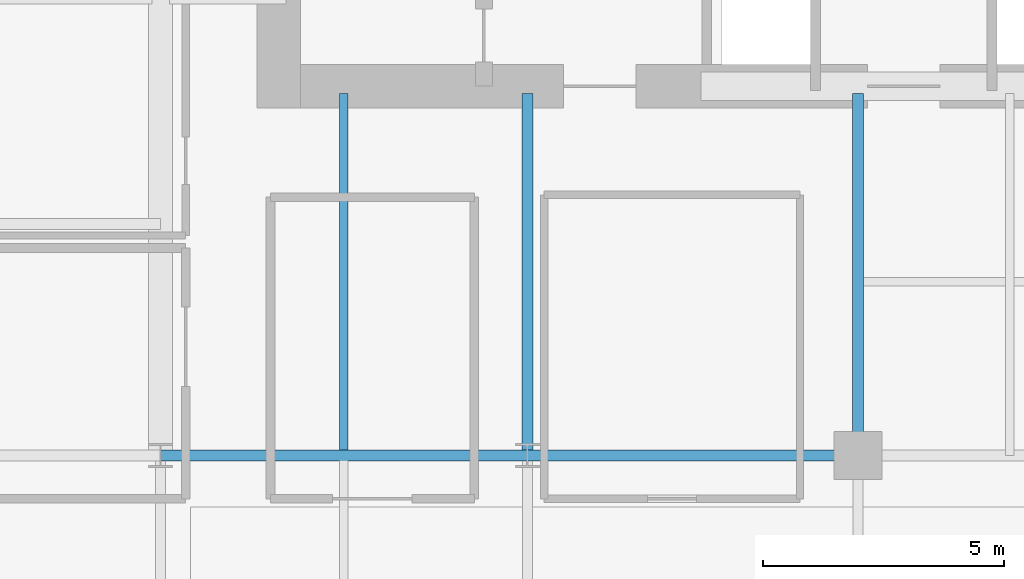
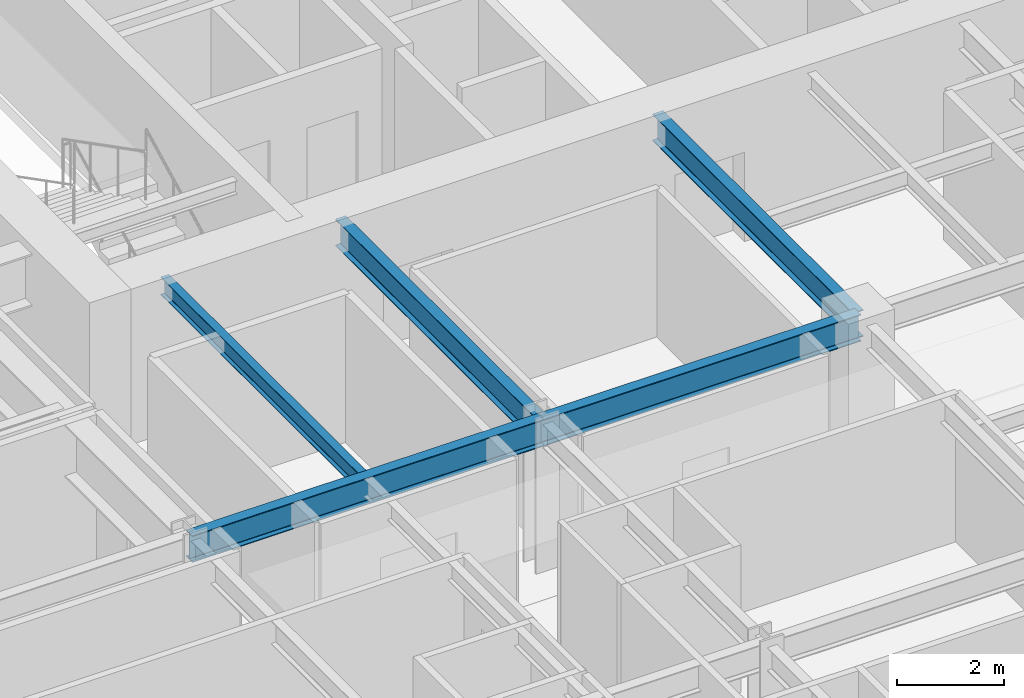
# One storey, part 7 of 25: 5 beams.
"""IFC4 building model written with IfcOpenShell, lengths in metres."""

from ifc_helpers import new_model, si_unit, direction, frame, origin, origin_2d, place, context, subcontext, project, spatial, i_section, extrude, source, transform, mapped, material, material_profile, profile_set, type_object, type_shapes, element, save


model = new_model("IFC4")

# Units and contexts
model_context = context("Model", 3, precision=1e-05, world=origin(), true_north=direction((0.0, 1.0)))
body_context = subcontext(model_context, "Body", "Model", "MODEL_VIEW")
ifc_project = project(units=[si_unit("LENGTHUNIT", "METRE"), si_unit("AREAUNIT", "SQUARE_METRE"), si_unit("VOLUMEUNIT", "CUBIC_METRE"), si_unit("PLANEANGLEUNIT", "RADIAN"), si_unit("MASSUNIT", "GRAM", prefix="KILO")], contexts=[model_context])

# Site, building, storey
site_placement = place(None, origin())
site = spatial("IfcSite", under=ifc_project, at=site_placement, CompositionType="ELEMENT")
building_placement = place(site_placement, origin())
building = spatial("IfcBuilding", under=site, at=building_placement, Name="Tolvann Quenvar Hotel", CompositionType="ELEMENT")
storey_placement = place(building_placement, frame((0.0, 0.0, 32.0)))
storey = spatial("IfcBuildingStorey", under=building, at=storey_placement, Name="L06", CompositionType="ELEMENT", Elevation=32.0)

# Beams
ifc_material = material(Name="Steel Grade 350", Category="steel")
ifc_material_profile_1 = material_profile(ifc_material, i_section(OverallWidth=0.22900390625, OverallDepth=0.612060546875, WebThickness=0.011962890625, FlangeThickness=0.01953125, FilletRadius=0.013916015625, at=origin_2d()), Name="610UB125")
ifc_profile_set_1 = profile_set([ifc_material_profile_1], Name="Steel Grade 350")
beam_type_1 = type_object("IfcBeamType", Name="BM_GIRD_610UB125", PredefinedType="BEAM", material=ifc_profile_set_1)
shared_shape_1 = source(origin(), body_context, "Body", "SweptSolid", [
    extrude(i_section(OverallWidth=0.22900390625, OverallDepth=0.612060546875, WebThickness=0.011962890625, FlangeThickness=0.01953125, FilletRadius=0.013916015625, at=origin_2d()), origin(), (0.0, 0.0, 1.0), 7.599853515625),
])
beam_1_placement = place(storey_placement, frame((7.60009765625, 24.39990234375, 3.06396484375), z_axis=(1.0, 0.0, 0.0), x_axis=(0.0, 1.0, 0.0)))
element("IfcBeam", 1, at=beam_1_placement, inside=storey, type_object=beam_type_1, Name="BM-L06-EW-5-C5-D5", PredefinedType="BEAM", context=body_context, shape_type="MappedRepresentation", body=[
    mapped(shared_shape_1, transform((0.0, 0.0, 0.0), x_axis=(1.0, 0.0, 0.0), y_axis=(0.0, 1.0, 0.0), z_axis=(0.0, 0.0, 1.0), scale=1.0)),
])
shared_shape_2 = source(origin(), body_context, "Body", "SweptSolid", [
    extrude(i_section(OverallWidth=0.22900390625, OverallDepth=0.612060546875, WebThickness=0.011962890625, FlangeThickness=0.01953125, FilletRadius=0.013916015625, at=origin_2d()), origin(), (0.0, 0.0, 1.0), 6.85009765625),
])
beam_2_placement = place(storey_placement, frame((15.199951171875, 24.39990234375, 3.06396484375), z_axis=(1.0, 0.0, 0.0), x_axis=(0.0, 1.0, 0.0)))
element("IfcBeam", 2, at=beam_2_placement, inside=storey, type_object=beam_type_1, Name="BM-L06-EW-5-D5-E5", PredefinedType="BEAM", context=body_context, shape_type="MappedRepresentation", body=[
    mapped(shared_shape_2, transform((0.0, 0.0, 0.0), x_axis=(1.0, 0.0, 0.0), y_axis=(0.0, 1.0, 0.0), z_axis=(0.0, 0.0, 1.0), scale=1.0)),
])
shared_shape_3 = source(origin(), body_context, "Body", "SweptSolid", [
    extrude(i_section(OverallWidth=0.22900390625, OverallDepth=0.612060546875, WebThickness=0.011962890625, FlangeThickness=0.01953125, FilletRadius=0.013916015625, at=origin_2d()), origin(), (0.0, 0.0, 1.0), 7.5),
])
type_shapes(beam_type_1, [shared_shape_1, shared_shape_2, shared_shape_3])
for number, where, z_axis, x_axis, name in (
    (3, (15.199951171875, 24.39990234375, 3.06396484375), (0.0, 1.0, 0.0), (-1.0, 0.0, 0.0), "BM-L06-CORE-D5"),
    (4, (22.050048828125, 24.39990234375, 3.06396484375), (0.0, 1.0, 0.0), (-1.0, 0.0, 0.0), "BM-L06-CORE-E5"),
):
    element("IfcBeam", number, at=place(storey_placement, frame(where, z_axis=z_axis, x_axis=x_axis)), inside=storey, type_object=beam_type_1, Name=name, PredefinedType="BEAM", context=body_context, shape_type="MappedRepresentation", body=[
        mapped(shared_shape_3, transform((0.0, 0.0, 0.0), x_axis=(1.0, 0.0, 0.0), y_axis=(0.0, 1.0, 0.0), z_axis=(0.0, 0.0, 1.0), scale=1.0)),
    ])
ifc_material_profile_2 = material_profile(ifc_material, i_section(OverallWidth=0.177978515625, OverallDepth=0.406005859375, WebThickness=0.0078125, FlangeThickness=0.0126953125, FilletRadius=0.011474609375, at=origin_2d()), Name="410UB60")
ifc_profile_set_2 = profile_set([ifc_material_profile_2], Name="Steel Grade 350")
beam_type_2 = type_object("IfcBeamType", Name="BM_JOIST_410UB60", PredefinedType="JOIST", material=ifc_profile_set_2)
shared_shape_4 = source(origin(), body_context, "Body", "SweptSolid", [
    extrude(i_section(OverallWidth=0.177978515625, OverallDepth=0.406005859375, WebThickness=0.0078125, FlangeThickness=0.0126953125, FilletRadius=0.011474609375, at=origin_2d()), origin(), (0.0, 0.0, 1.0), 7.391357421875),
])
type_shapes(beam_type_2, [shared_shape_4])
beam_3_placement = place(storey_placement, frame((11.39990234375, 24.508544921875, 3.1669921875), z_axis=(0.0, 1.0, 0.0), x_axis=(-1.0, 0.0, 0.0)))
element("IfcBeam", 5, at=beam_3_placement, inside=storey, type_object=beam_type_2, Name="BJ-L06-114-244", PredefinedType="JOIST", context=body_context, shape_type="MappedRepresentation", body=[
    mapped(shared_shape_4, transform((0.0, 0.0, 0.0), x_axis=(1.0, 0.0, 0.0), y_axis=(0.0, 1.0, 0.0), z_axis=(0.0, 0.0, 1.0), scale=1.0)),
])

save(model, "model.ifc")
